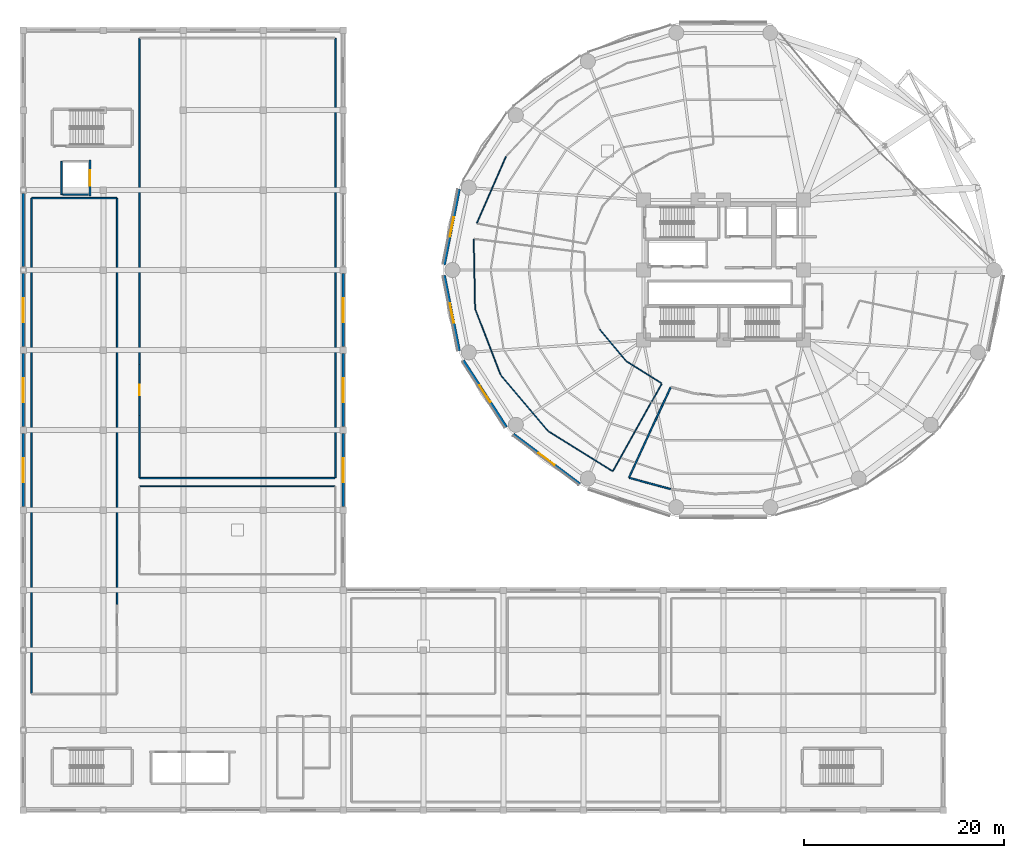
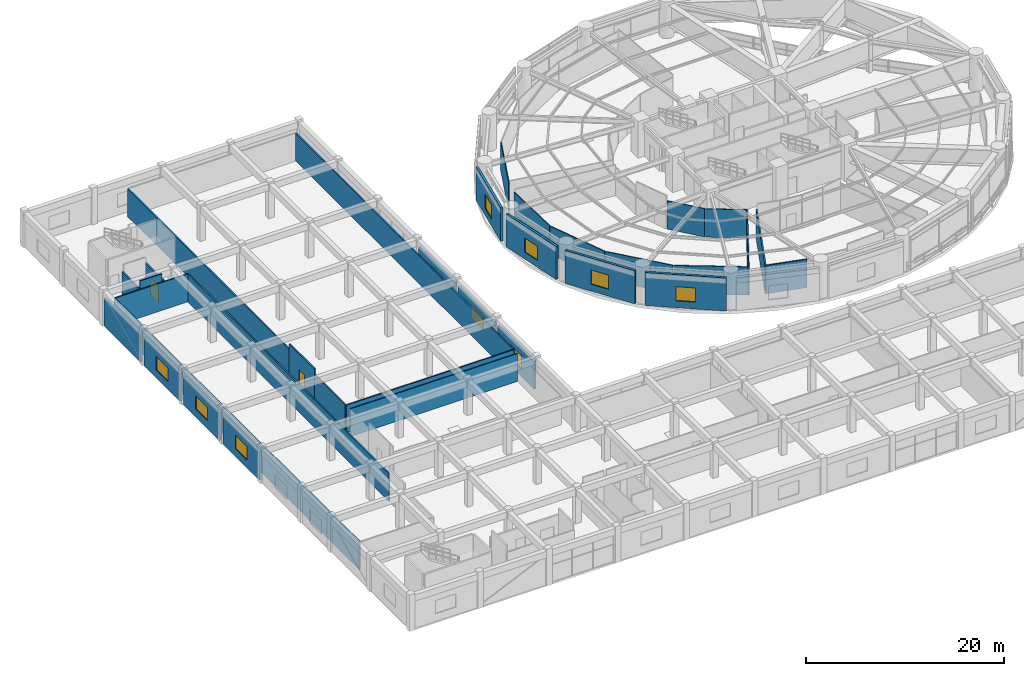
# One storey, part 40 of 52: 33 walls, 10 windows, 2 doors, 12 openings.
"""IFC4 building model written with IfcOpenShell, lengths in metres."""

from ifc_helpers import new_model, si_unit, direction, frame, frame_2d, origin, place, context, subcontext, project, spatial, rectangle, extrude, material, layer, layer_set, type_object, element, fill, save


model = new_model("IFC4")

# Units and contexts
model_context = context("Model", 3, precision=1e-05, world=origin(), true_north=direction((0.0, 1.0)))
body_context = subcontext(model_context, "Body", "Model", "MODEL_VIEW")
ifc_project = project(units=[si_unit("LENGTHUNIT", "METRE"), si_unit("AREAUNIT", "SQUARE_METRE"), si_unit("VOLUMEUNIT", "CUBIC_METRE"), si_unit("PLANEANGLEUNIT", "RADIAN"), si_unit("MASSUNIT", "GRAM", prefix="KILO")], contexts=[model_context])

# Site, building, storey
site_placement = place(None, origin())
site = spatial("IfcSite", under=ifc_project, at=site_placement, CompositionType="ELEMENT")
building_placement = place(site_placement, origin())
building = spatial("IfcBuilding", under=site, at=building_placement, Name="Kelanora Arch Commons", CompositionType="ELEMENT")
storey_placement = place(building_placement, frame((0.0, 0.0, 13.5)))
storey = spatial("IfcBuildingStorey", under=building, at=storey_placement, Name="L03", CompositionType="ELEMENT", Elevation=13.5)

# Walls
ifc_material_1 = material(Name="Autoclaved aerated concrete blockwork with fire plaster", Category="masonry")
ifc_layer_1 = layer(ifc_material_1, 0.14990234375)
ifc_layer_set_1 = layer_set([ifc_layer_1], Name="Autoclaved aerated concrete blockwork with fire plaster")
wall_type_1 = type_object("IfcWallType", Name="W-COMP-150", PredefinedType="PARTITIONING", material=ifc_layer_set_1)
wall_1_placement = place(storey_placement, frame((7.840087890625, 65.5400390625, 0.0), z_axis=(0.0, 0.0, 1.0), x_axis=(0.0, 1.0, 0.0)))
element("IfcWall", 1, at=wall_1_placement, inside=storey, type_object=wall_type_1, Name="Market West Lift Shaft Back Wall L03", PredefinedType="PARTITIONING", context=body_context, shape_type="SweptSolid", body=[
    extrude(rectangle(XDim=3.320068359375, YDim=0.14990234375, at=frame_2d((1.66015625, 0.0))), origin(), (0.0, 0.0, 1.0), 3.425048828125),
])
wall_2_placement = place(storey_placement, frame((7.9599609375, 65.5400390625, 0.0), z_axis=(0.0, 0.0, 1.0), x_axis=(1.0, 0.0, 0.0)))
element("IfcWall", 2, at=wall_2_placement, inside=storey, type_object=wall_type_1, Name="Market West Lift Shaft South Wall L03", PredefinedType="PARTITIONING", context=body_context, shape_type="SweptSolid", body=[
    extrude(rectangle(XDim=2.56005859375, YDim=0.14990234375, at=frame_2d((1.280029296875, 0.0))), origin(), (0.0, 0.0, 1.0), 4.22998046875),
])

# Wall, opening, door
wall_3_placement = place(storey_placement, frame((15.6201171875, 43.4599609375, 0.0), z_axis=(0.0, 0.0, 1.0), x_axis=(0.0, 1.0, 0.0)))
wall_3 = element("IfcWall", 3, at=wall_3_placement, inside=storey, type_object=wall_type_1, Name="Market Bakery Bulk Flour and Cold Store L03 Entry Partition", PredefinedType="PARTITIONING", context=body_context, shape_type="SweptSolid", body=[
    extrude(rectangle(XDim=5.080078125, YDim=0.14990234375, at=frame_2d((2.5400390625, 0.0))), origin(), (0.0, 0.0, 1.0), 4.090087890625),
])
opening_1_placement = place(wall_3_placement, frame((2.0, 0.0, 0.0)))
opening_1 = element("IfcOpeningElement", 4, at=opening_1_placement, cuts=wall_3, Name="Opening D-PLT1", PredefinedType="OPENING", context=body_context, shape_type="SweptSolid", body=[
    extrude(rectangle(XDim=1.080078125, YDim=2.10009765625, at=frame_2d((0.5400390625, 1.050048828125))), frame((0.0, 0.0849609375, 0.0), z_axis=(0.0, -1.0, 0.0), x_axis=(1.0, 0.0, 0.0)), (0.0, 0.0, 1.0), 0.169921875),
])
ifc_material_2 = material(Name="Galvanised steel plant and riser fire door", Category="steel")
door_type_1 = type_object("IfcDoorType", Name="D-PLT-110", OperationType="NOTDEFINED", PredefinedType="DOOR", material=ifc_material_2)
door_1_placement = place(opening_1_placement, origin())
door_1 = element("IfcDoor", 5, at=door_1_placement, inside=storey, type_object=door_type_1, Name="Market Bakery Bulk Flour and Cold Store L03 Door", OperationType="SINGLE_SWING_RIGHT", OverallHeight=2.10009765625, OverallWidth=1.080078125, PredefinedType="DOOR", context=body_context, shape_type="SweptSolid", body=[
    extrude(rectangle(XDim=1.080078125, YDim=2.10009765625, at=frame_2d((0.5400390625, 1.050048828125))), frame((0.0, 0.02490234375, 0.0), z_axis=(0.0, -1.0, 0.0), x_axis=(1.0, 0.0, 0.0)), (0.0, 0.0, 1.0), 0.050048828125),
])
fill(opening_1, door_1)

# Walls
wall_4_placement = place(storey_placement, frame((15.659912109375, 37.199951171875, 0.0), z_axis=(0.0, 0.0, 1.0), x_axis=(1.0, 0.0, 0.0)))
element("IfcWall", 6, at=wall_4_placement, inside=storey, type_object=wall_type_1, Name="Market Bakery Bulk Flour and Cold Store L03 Enclosure Partition 1", PredefinedType="PARTITIONING", context=body_context, shape_type="SweptSolid", body=[
    extrude(rectangle(XDim=19.5, YDim=0.14990234375, at=frame_2d((9.75, 0.0))), origin(), (0.0, 0.0, 1.0), 3.425048828125),
])
wall_5_placement = place(storey_placement, frame((35.199951171875, 37.239990234375, 0.0), z_axis=(0.0, 0.0, 1.0), x_axis=(0.0, 1.0, 0.0)))
element("IfcWall", 7, at=wall_5_placement, inside=storey, type_object=wall_type_1, Name="Market Bakery Bulk Flour and Cold Store L03 Enclosure Partition 2", PredefinedType="PARTITIONING", context=body_context, shape_type="SweptSolid", body=[
    extrude(rectangle(XDim=43.919921875, YDim=0.14990234375, at=frame_2d((21.9599609375, 0.0))), origin(), (0.0, 0.0, 1.0), 3.425048828125),
])
wall_6_placement = place(storey_placement, frame((15.6201171875, 81.159912109375, 0.0), z_axis=(0.0, 0.0, 1.0), x_axis=(0.0, -1.0, 0.0)))
element("IfcWall", 8, at=wall_6_placement, inside=storey, type_object=wall_type_1, Name="Market Bakery Bulk Flour and Cold Store L03 Enclosure Partition 4", PredefinedType="PARTITIONING", context=body_context, shape_type="SweptSolid", body=[
    extrude(rectangle(XDim=32.619873046875, YDim=0.14990234375, at=frame_2d((16.31005859375, 0.0))), origin(), (0.0, 0.0, 1.0), 3.425048828125),
])
wall_7_placement = place(storey_placement, frame((15.6201171875, 43.4599609375, 0.0), z_axis=(0.0, 0.0, 1.0), x_axis=(0.0, -1.0, 0.0)))
element("IfcWall", 9, at=wall_7_placement, inside=storey, type_object=wall_type_1, Name="Market Bakery Bulk Flour and Cold Store L03 Enclosure Partition 4", PredefinedType="PARTITIONING", context=body_context, shape_type="SweptSolid", body=[
    extrude(rectangle(XDim=6.219970703125, YDim=0.14990234375, at=frame_2d((3.10986328125, 0.0))), origin(), (0.0, 0.0, 1.0), 3.425048828125),
])
wall_8_placement = place(storey_placement, frame((13.3798828125, 24.5400390625, 0.0), z_axis=(0.0, 0.0, 1.0), x_axis=(0.0, 1.0, 0.0)))
element("IfcWall", 10, at=wall_8_placement, inside=storey, type_object=wall_type_1, Name="Market West Equipment Store L03 Enclosure Partition 2", PredefinedType="PARTITIONING", context=body_context, shape_type="SweptSolid", body=[
    extrude(rectangle(XDim=40.619873046875, YDim=0.14990234375, at=frame_2d((20.31005859375, 0.0))), origin(), (0.0, 0.0, 1.0), 3.425048828125),
])
wall_9_placement = place(storey_placement, frame((13.340087890625, 65.199951171875, 0.0), z_axis=(0.0, 0.0, 1.0), x_axis=(-1.0, 0.0, 0.0)))
element("IfcWall", 11, at=wall_9_placement, inside=storey, type_object=wall_type_1, Name="Market West Equipment Store L03 Enclosure Partition 3", PredefinedType="PARTITIONING", context=body_context, shape_type="SweptSolid", body=[
    extrude(rectangle(XDim=8.5, YDim=0.14990234375, at=frame_2d((4.25, 0.0))), origin(), (0.0, 0.0, 1.0), 3.425048828125),
])
wall_10_placement = place(storey_placement, frame((4.800048828125, 65.159912109375, 0.0), z_axis=(0.0, 0.0, 1.0), x_axis=(0.0, -1.0, 0.0)))
element("IfcWall", 12, at=wall_10_placement, inside=storey, type_object=wall_type_1, Name="Market West Equipment Store L03 Enclosure Partition 4", PredefinedType="PARTITIONING", context=body_context, shape_type="SweptSolid", body=[
    extrude(rectangle(XDim=49.5, YDim=0.14990234375, at=frame_2d((24.75, 0.0))), origin(), (0.0, 0.0, 1.0), 3.425048828125),
])
wall_11_placement = place(storey_placement, frame((68.722412109375, 36.099609375, 0.0), z_axis=(0.0, 0.0, 1.0), x_axis=(-0.964990226836, 0.262285840471, 0.0)))
element("IfcWall", 13, at=wall_11_placement, inside=storey, type_object=wall_type_1, Name="Podium Catering Cold Store and Linen Room L03 Enclosure Partition 9", PredefinedType="PARTITIONING", context=body_context, shape_type="SweptSolid", body=[
    extrude(rectangle(XDim=4.2734375, YDim=0.14990234375, at=frame_2d((2.13671875, 0.0))), origin(), (0.0, 0.0, 1.0), 3.485107421875),
])
wall_12_placement = place(storey_placement, frame((64.576904296875, 37.267333984375, 0.0), z_axis=(0.0, 0.0, 1.0), x_axis=(0.419273795464, 0.90785983744, 0.0)))
element("IfcWall", 14, at=wall_12_placement, inside=storey, type_object=wall_type_1, Name="Podium Catering Cold Store and Linen Room L03 Enclosure Partition 10", PredefinedType="PARTITIONING", context=body_context, shape_type="SweptSolid", body=[
    extrude(rectangle(XDim=9.908203125, YDim=0.14990234375, at=frame_2d((4.9541015625, 0.0))), origin(), (0.0, 0.0, 1.0), 3.485107421875),
])

# Wall, opening, window
ifc_material_3 = material(Name="Precast concrete C40/50 with terracotta ceramic cladding", Category="masonry")
ifc_layer_2 = layer(ifc_material_3, 0.25)
ifc_layer_set_2 = layer_set([ifc_layer_2], Name="Precast concrete C40/50 with terracotta ceramic cladding")
wall_type_2 = type_object("IfcWallType", Name="W-EXT-MKT", PredefinedType="SOLIDWALL", material=ifc_layer_set_2)
wall_13_placement = place(storey_placement, frame((36.0, 34.330078125, 0.0), z_axis=(0.0, 0.0, 1.0), x_axis=(0.0, 1.0, 0.0)))
wall_13 = element("IfcWall", 15, at=wall_13_placement, inside=storey, type_object=wall_type_2, Name="Market Hall Exterior Wall L03-24", PredefinedType="SOLIDWALL", context=body_context, shape_type="SweptSolid", body=[
    extrude(rectangle(XDim=7.33984375, YDim=0.25, at=frame_2d((3.669921875, 0.0))), origin(), (0.0, 0.0, 1.0), 3.419921875),
])
opening_2_placement = place(wall_13_placement, frame((2.469970703125, 0.0, 0.949951171875)))
opening_2 = element("IfcOpeningElement", 16, at=opening_2_placement, cuts=wall_13, Name="Opening WN-03", PredefinedType="OPENING", context=body_context, shape_type="SweptSolid", body=[
    extrude(rectangle(XDim=2.39990234375, YDim=1.64990234375, at=frame_2d((1.199951171875, 0.824951171875))), frame((0.0, 0.135009765625, 0.0), z_axis=(0.0, -1.0, 0.0), x_axis=(1.0, 0.0, 0.0)), (0.0, 0.0, 1.0), 0.27001953125),
])
ifc_material_4 = material(Name="Bronze-terracotta aluminium monsoon clerestory window", Category="masonry")
window_type_1 = type_object("IfcWindowType", Name="WIN-MKT-24", PartitioningType="TRIPLE_PANEL_VERTICAL", PredefinedType="WINDOW", material=ifc_material_4)
window_1_placement = place(opening_2_placement, origin())
window_1 = element("IfcWindow", 17, at=window_1_placement, inside=storey, type_object=window_type_1, Name="Market Hall Clerestory Window L03-24", OverallHeight=1.64990234375, OverallWidth=2.39990234375, PartitioningType="SINGLE_PANEL", PredefinedType="WINDOW", context=body_context, shape_type="SweptSolid", body=[
    extrude(rectangle(XDim=2.39990234375, YDim=1.64990234375, at=frame_2d((1.199951171875, 0.824951171875))), frame((0.0, 0.030029296875, 0.0), z_axis=(0.0, -1.0, 0.0), x_axis=(1.0, 0.0, 0.0)), (0.0, 0.0, 1.0), 0.06005859375),
])
fill(opening_2, window_1)

wall_14_placement = place(storey_placement, frame((36.0, 42.330078125, 0.0), z_axis=(0.0, 0.0, 1.0), x_axis=(0.0, 1.0, 0.0)))
wall_14 = element("IfcWall", 18, at=wall_14_placement, inside=storey, type_object=wall_type_2, Name="Market Hall Exterior Wall L03-25", PredefinedType="SOLIDWALL", context=body_context, shape_type="SweptSolid", body=[
    extrude(rectangle(XDim=7.33984375, YDim=0.25, at=frame_2d((3.669921875, 0.0))), origin(), (0.0, 0.0, 1.0), 3.419921875),
])
opening_3_placement = place(wall_14_placement, frame((2.469970703125, 0.0, 0.949951171875)))
opening_3 = element("IfcOpeningElement", 19, at=opening_3_placement, cuts=wall_14, Name="Opening WN-03", PredefinedType="OPENING", context=body_context, shape_type="SweptSolid", body=[
    extrude(rectangle(XDim=2.39990234375, YDim=1.64990234375, at=frame_2d((1.199951171875, 0.824951171875))), frame((0.0, 0.135009765625, 0.0), z_axis=(0.0, -1.0, 0.0), x_axis=(1.0, 0.0, 0.0)), (0.0, 0.0, 1.0), 0.27001953125),
])
window_2_placement = place(opening_3_placement, origin())
window_2 = element("IfcWindow", 20, at=window_2_placement, inside=storey, type_object=window_type_1, Name="Market Hall Clerestory Window L03-25", OverallHeight=1.64990234375, OverallWidth=2.39990234375, PartitioningType="SINGLE_PANEL", PredefinedType="WINDOW", context=body_context, shape_type="SweptSolid", body=[
    extrude(rectangle(XDim=2.39990234375, YDim=1.64990234375, at=frame_2d((1.199951171875, 0.824951171875))), frame((0.0, 0.030029296875, 0.0), z_axis=(0.0, -1.0, 0.0), x_axis=(1.0, 0.0, 0.0)), (0.0, 0.0, 1.0), 0.06005859375),
])
fill(opening_3, window_2)

wall_15_placement = place(storey_placement, frame((36.0, 50.330078125, 0.0), z_axis=(0.0, 0.0, 1.0), x_axis=(0.0, 1.0, 0.0)))
wall_15 = element("IfcWall", 21, at=wall_15_placement, inside=storey, type_object=wall_type_2, Name="Market Hall Exterior Wall L03-26", PredefinedType="SOLIDWALL", context=body_context, shape_type="SweptSolid", body=[
    extrude(rectangle(XDim=7.33984375, YDim=0.25, at=frame_2d((3.669921875, 0.0))), origin(), (0.0, 0.0, 1.0), 3.419921875),
])
opening_4_placement = place(wall_15_placement, frame((2.469970703125, 0.0, 0.949951171875)))
opening_4 = element("IfcOpeningElement", 22, at=opening_4_placement, cuts=wall_15, Name="Opening WN-03", PredefinedType="OPENING", context=body_context, shape_type="SweptSolid", body=[
    extrude(rectangle(XDim=2.39990234375, YDim=1.64990234375, at=frame_2d((1.199951171875, 0.824951171875))), frame((0.0, 0.135009765625, 0.0), z_axis=(0.0, -1.0, 0.0), x_axis=(1.0, 0.0, 0.0)), (0.0, 0.0, 1.0), 0.27001953125),
])
window_3_placement = place(opening_4_placement, origin())
window_3 = element("IfcWindow", 23, at=window_3_placement, inside=storey, type_object=window_type_1, Name="Market Hall Clerestory Window L03-26", OverallHeight=1.64990234375, OverallWidth=2.39990234375, PartitioningType="SINGLE_PANEL", PredefinedType="WINDOW", context=body_context, shape_type="SweptSolid", body=[
    extrude(rectangle(XDim=2.39990234375, YDim=1.64990234375, at=frame_2d((1.199951171875, 0.824951171875))), frame((0.0, 0.030029296875, 0.0), z_axis=(0.0, -1.0, 0.0), x_axis=(1.0, 0.0, 0.0)), (0.0, 0.0, 1.0), 0.06005859375),
])
fill(opening_4, window_3)

# Wall
wall_16_placement = place(storey_placement, frame((4.0, 65.669921875, 0.0), z_axis=(0.0, 0.0, 1.0), x_axis=(0.0, -1.0, 0.0)))
element("IfcWall", 24, at=wall_16_placement, inside=storey, type_object=wall_type_2, Name="Market Hall Exterior Wall L03-36", PredefinedType="SOLIDWALL", context=body_context, shape_type="SweptSolid", body=[
    extrude(rectangle(XDim=7.33984375, YDim=0.25, at=frame_2d((3.669921875, 0.0))), origin(), (0.0, 0.0, 1.0), 3.419921875),
])

# Wall, opening, window
wall_17_placement = place(storey_placement, frame((4.0, 57.669921875, 0.0), z_axis=(0.0, 0.0, 1.0), x_axis=(0.0, -1.0, 0.0)))
wall_17 = element("IfcWall", 25, at=wall_17_placement, inside=storey, type_object=wall_type_2, Name="Market Hall Exterior Wall L03-37", PredefinedType="SOLIDWALL", context=body_context, shape_type="SweptSolid", body=[
    extrude(rectangle(XDim=7.33984375, YDim=0.25, at=frame_2d((3.669921875, 0.0))), origin(), (0.0, 0.0, 1.0), 3.419921875),
])
opening_5_placement = place(wall_17_placement, frame((2.469970703125, 0.0, 0.949951171875)))
opening_5 = element("IfcOpeningElement", 26, at=opening_5_placement, cuts=wall_17, Name="Opening WN-03", PredefinedType="OPENING", context=body_context, shape_type="SweptSolid", body=[
    extrude(rectangle(XDim=2.39990234375, YDim=1.64990234375, at=frame_2d((1.199951171875, 0.824951171875))), frame((0.0, 0.135009765625, 0.0), z_axis=(0.0, -1.0, 0.0), x_axis=(1.0, 0.0, 0.0)), (0.0, 0.0, 1.0), 0.27001953125),
])
window_4_placement = place(opening_5_placement, origin())
window_4 = element("IfcWindow", 27, at=window_4_placement, inside=storey, type_object=window_type_1, Name="Market Hall Clerestory Window L03-37", OverallHeight=1.64990234375, OverallWidth=2.39990234375, PartitioningType="SINGLE_PANEL", PredefinedType="WINDOW", context=body_context, shape_type="SweptSolid", body=[
    extrude(rectangle(XDim=2.39990234375, YDim=1.64990234375, at=frame_2d((1.199951171875, 0.824951171875))), frame((0.0, 0.030029296875, 0.0), z_axis=(0.0, -1.0, 0.0), x_axis=(1.0, 0.0, 0.0)), (0.0, 0.0, 1.0), 0.06005859375),
])
fill(opening_5, window_4)

wall_18_placement = place(storey_placement, frame((4.0, 49.669921875, 0.0), z_axis=(0.0, 0.0, 1.0), x_axis=(0.0, -1.0, 0.0)))
wall_18 = element("IfcWall", 28, at=wall_18_placement, inside=storey, type_object=wall_type_2, Name="Market Hall Exterior Wall L03-38", PredefinedType="SOLIDWALL", context=body_context, shape_type="SweptSolid", body=[
    extrude(rectangle(XDim=7.33984375, YDim=0.25, at=frame_2d((3.669921875, 0.0))), origin(), (0.0, 0.0, 1.0), 3.419921875),
])
opening_6_placement = place(wall_18_placement, frame((2.469970703125, 0.0, 0.949951171875)))
opening_6 = element("IfcOpeningElement", 29, at=opening_6_placement, cuts=wall_18, Name="Opening WN-03", PredefinedType="OPENING", context=body_context, shape_type="SweptSolid", body=[
    extrude(rectangle(XDim=2.39990234375, YDim=1.64990234375, at=frame_2d((1.199951171875, 0.824951171875))), frame((0.0, 0.135009765625, 0.0), z_axis=(0.0, -1.0, 0.0), x_axis=(1.0, 0.0, 0.0)), (0.0, 0.0, 1.0), 0.27001953125),
])
window_5_placement = place(opening_6_placement, origin())
window_5 = element("IfcWindow", 30, at=window_5_placement, inside=storey, type_object=window_type_1, Name="Market Hall Clerestory Window L03-38", OverallHeight=1.64990234375, OverallWidth=2.39990234375, PartitioningType="SINGLE_PANEL", PredefinedType="WINDOW", context=body_context, shape_type="SweptSolid", body=[
    extrude(rectangle(XDim=2.39990234375, YDim=1.64990234375, at=frame_2d((1.199951171875, 0.824951171875))), frame((0.0, 0.030029296875, 0.0), z_axis=(0.0, -1.0, 0.0), x_axis=(1.0, 0.0, 0.0)), (0.0, 0.0, 1.0), 0.06005859375),
])
fill(opening_6, window_5)

wall_19_placement = place(storey_placement, frame((4.0, 41.669921875, 0.0), z_axis=(0.0, 0.0, 1.0), x_axis=(0.0, -1.0, 0.0)))
wall_19 = element("IfcWall", 31, at=wall_19_placement, inside=storey, type_object=wall_type_2, Name="Market Hall Exterior Wall L03-39", PredefinedType="SOLIDWALL", context=body_context, shape_type="SweptSolid", body=[
    extrude(rectangle(XDim=7.33984375, YDim=0.25, at=frame_2d((3.669921875, 0.0))), origin(), (0.0, 0.0, 1.0), 3.419921875),
])
opening_7_placement = place(wall_19_placement, frame((2.469970703125, 0.0, 0.949951171875)))
opening_7 = element("IfcOpeningElement", 32, at=opening_7_placement, cuts=wall_19, Name="Opening WN-03", PredefinedType="OPENING", context=body_context, shape_type="SweptSolid", body=[
    extrude(rectangle(XDim=2.39990234375, YDim=1.64990234375, at=frame_2d((1.199951171875, 0.824951171875))), frame((0.0, 0.135009765625, 0.0), z_axis=(0.0, -1.0, 0.0), x_axis=(1.0, 0.0, 0.0)), (0.0, 0.0, 1.0), 0.27001953125),
])
window_6_placement = place(opening_7_placement, origin())
window_6 = element("IfcWindow", 33, at=window_6_placement, inside=storey, type_object=window_type_1, Name="Market Hall Clerestory Window L03-39", OverallHeight=1.64990234375, OverallWidth=2.39990234375, PartitioningType="SINGLE_PANEL", PredefinedType="WINDOW", context=body_context, shape_type="SweptSolid", body=[
    extrude(rectangle(XDim=2.39990234375, YDim=1.64990234375, at=frame_2d((1.199951171875, 0.824951171875))), frame((0.0, 0.030029296875, 0.0), z_axis=(0.0, -1.0, 0.0), x_axis=(1.0, 0.0, 0.0)), (0.0, 0.0, 1.0), 0.06005859375),
])
fill(opening_7, window_6)

ifc_material_5 = material(Name="Precast concrete C40/50 with terracotta rainscreen", Category="masonry")
ifc_layer_3 = layer(ifc_material_5, 0.260009765625)
ifc_layer_set_3 = layer_set([ifc_layer_3], Name="Precast concrete C40/50 with terracotta rainscreen")
wall_type_3 = type_object("IfcWallType", Name="W-EXT-TC", PredefinedType="SOLIDWALL", material=ifc_layer_set_3)
wall_20_placement = place(storey_placement, frame((47.595703125, 66.080078125, 0.0), z_axis=(0.0, 0.0, 1.0), x_axis=(-0.193726159581, -0.98105564322, 0.0)))
wall_20 = element("IfcWall", 34, at=wall_20_placement, inside=storey, type_object=wall_type_3, Name="Terracotta Exterior Wall L03-B08", PredefinedType="SOLIDWALL", context=body_context, shape_type="SweptSolid", body=[
    extrude(rectangle(XDim=7.70263671875, YDim=0.260009765625, at=frame_2d((3.851318359375, 0.0))), origin(), (0.0, 0.0, 1.0), 4.0849609375),
])
opening_8_placement = place(wall_20_placement, frame((2.85107421875, 0.0, 0.85009765625)))
opening_8 = element("IfcOpeningElement", 35, at=opening_8_placement, cuts=wall_20, Name="Opening WN-05", PredefinedType="OPENING", context=body_context, shape_type="SweptSolid", body=[
    extrude(rectangle(XDim=2.0, YDim=1.75, at=frame_2d((1.0, 0.875))), frame((0.0, 0.14013671875, 0.0), z_axis=(0.0, -1.0, 0.0), x_axis=(1.0, 0.0, 0.0)), (0.0, 0.0, 1.0), 0.280029296875),
])
ifc_material_6 = material(Name="Terracotta-anodised aluminium podium window", Category="masonry")
window_type_2 = type_object("IfcWindowType", Name="WIN-POD-20", PartitioningType="TRIPLE_PANEL_VERTICAL", PredefinedType="WINDOW", material=ifc_material_6)
window_7_placement = place(opening_8_placement, origin())
window_7 = element("IfcWindow", 36, at=window_7_placement, inside=storey, type_object=window_type_2, Name="Podium Window L03-B08", OverallHeight=1.75, OverallWidth=2.0, PartitioningType="SINGLE_PANEL", PredefinedType="WINDOW", context=body_context, shape_type="SweptSolid", body=[
    extrude(rectangle(XDim=2.0, YDim=1.75, at=frame_2d((1.0, 0.875))), frame((0.0, 0.030029296875, 0.0), z_axis=(0.0, -1.0, 0.0), x_axis=(1.0, 0.0, 0.0)), (0.0, 0.0, 1.0), 0.06005859375),
])
fill(opening_8, window_7)

wall_21_placement = place(storey_placement, frame((46.103515625, 57.4765625, 0.0), z_axis=(0.0, 0.0, 1.0), x_axis=(0.193726159581, -0.98105564322, 0.0)))
wall_21 = element("IfcWall", 37, at=wall_21_placement, inside=storey, type_object=wall_type_3, Name="Terracotta Exterior Wall L03-B09", PredefinedType="SOLIDWALL", context=body_context, shape_type="SweptSolid", body=[
    extrude(rectangle(XDim=7.70263671875, YDim=0.260009765625, at=frame_2d((3.851318359375, 0.0))), origin(), (0.0, 0.0, 1.0), 4.0849609375),
])
opening_9_placement = place(wall_21_placement, frame((2.85107421875, 0.0, 0.85009765625)))
opening_9 = element("IfcOpeningElement", 38, at=opening_9_placement, cuts=wall_21, Name="Opening WN-05", PredefinedType="OPENING", context=body_context, shape_type="SweptSolid", body=[
    extrude(rectangle(XDim=2.0, YDim=1.75, at=frame_2d((1.0, 0.875))), frame((0.0, 0.14013671875, 0.0), z_axis=(0.0, -1.0, 0.0), x_axis=(1.0, 0.0, 0.0)), (0.0, 0.0, 1.0), 0.280029296875),
])
window_8_placement = place(opening_9_placement, origin())
window_8 = element("IfcWindow", 39, at=window_8_placement, inside=storey, type_object=window_type_2, Name="Podium Window L03-B09", OverallHeight=1.75, OverallWidth=2.0, PartitioningType="SINGLE_PANEL", PredefinedType="WINDOW", context=body_context, shape_type="SweptSolid", body=[
    extrude(rectangle(XDim=2.0, YDim=1.75, at=frame_2d((1.0, 0.875))), frame((0.0, 0.030029296875, 0.0), z_axis=(0.0, -1.0, 0.0), x_axis=(1.0, 0.0, 0.0)), (0.0, 0.0, 1.0), 0.06005859375),
])
fill(opening_9, window_8)

wall_22_placement = place(storey_placement, frame((48.000732421875, 48.966796875, 0.0), z_axis=(0.0, 0.0, 1.0), x_axis=(0.543005114258, -0.839729388488, 0.0)))
wall_22 = element("IfcWall", 40, at=wall_22_placement, inside=storey, type_object=wall_type_3, Name="Terracotta Exterior Wall L03-B10", PredefinedType="SOLIDWALL", context=body_context, shape_type="SweptSolid", body=[
    extrude(rectangle(XDim=7.9375, YDim=0.260009765625, at=frame_2d((3.96875, 0.0))), origin(), (0.0, 0.0, 1.0), 4.0849609375),
])
opening_10_placement = place(wall_22_placement, frame((2.968994140625, 0.0, 0.85009765625)))
opening_10 = element("IfcOpeningElement", 41, at=opening_10_placement, cuts=wall_22, Name="Opening WN-05", PredefinedType="OPENING", context=body_context, shape_type="SweptSolid", body=[
    extrude(rectangle(XDim=2.0, YDim=1.75, at=frame_2d((1.0, 0.875))), frame((0.0, 0.14013671875, 0.0), z_axis=(0.0, -1.0, 0.0), x_axis=(1.0, 0.0, 0.0)), (0.0, 0.0, 1.0), 0.280029296875),
])
window_9_placement = place(opening_10_placement, origin())
window_9 = element("IfcWindow", 42, at=window_9_placement, inside=storey, type_object=window_type_2, Name="Podium Window L03-B10", OverallHeight=1.75, OverallWidth=2.0, PartitioningType="SINGLE_PANEL", PredefinedType="WINDOW", context=body_context, shape_type="SweptSolid", body=[
    extrude(rectangle(XDim=2.0, YDim=1.75, at=frame_2d((1.0, 0.875))), frame((0.0, 0.030029296875, 0.0), z_axis=(0.0, -1.0, 0.0), x_axis=(1.0, 0.0, 0.0)), (0.0, 0.0, 1.0), 0.06005859375),
])
fill(opening_10, window_9)

wall_23_placement = place(storey_placement, frame((53.01611328125, 41.581787109375, 0.0), z_axis=(0.0, 0.0, 1.0), x_axis=(0.80030733173, -0.599590005569, 0.0)))
wall_23 = element("IfcWall", 43, at=wall_23_placement, inside=storey, type_object=wall_type_3, Name="Terracotta Exterior Wall L03-B11", PredefinedType="SOLIDWALL", context=body_context, shape_type="SweptSolid", body=[
    extrude(rectangle(XDim=8.29052734375, YDim=0.260009765625, at=frame_2d((4.145263671875, 0.0))), origin(), (0.0, 0.0, 1.0), 4.0849609375),
])
opening_11_placement = place(wall_23_placement, frame((3.14501953125, 0.0, 0.85009765625)))
opening_11 = element("IfcOpeningElement", 44, at=opening_11_placement, cuts=wall_23, Name="Opening WN-05", PredefinedType="OPENING", context=body_context, shape_type="SweptSolid", body=[
    extrude(rectangle(XDim=2.0, YDim=1.75, at=frame_2d((1.0, 0.875))), frame((0.0, 0.14013671875, 0.0), z_axis=(0.0, -1.0, 0.0), x_axis=(1.0, 0.0, 0.0)), (0.0, 0.0, 1.0), 0.280029296875),
])
window_10_placement = place(opening_11_placement, origin())
window_10 = element("IfcWindow", 45, at=window_10_placement, inside=storey, type_object=window_type_2, Name="Podium Window L03-B11", OverallHeight=1.75, OverallWidth=2.0, PartitioningType="SINGLE_PANEL", PredefinedType="WINDOW", context=body_context, shape_type="SweptSolid", body=[
    extrude(rectangle(XDim=2.0, YDim=1.75, at=frame_2d((1.0, 0.875))), frame((0.0, 0.030029296875, 0.0), z_axis=(0.0, -1.0, 0.0), x_axis=(1.0, 0.0, 0.0)), (0.0, 0.0, 1.0), 0.06005859375),
])
fill(opening_11, window_10)

# Wall, opening, door
ifc_material_7 = material(Name="Concrete C40/50", Category="concrete")
ifc_layer_4 = layer(ifc_material_7, 0.199951171875)
ifc_layer_set_4 = layer_set([ifc_layer_4], Name="Concrete C40/50")
wall_type_4 = type_object("IfcWallType", Name="W-FFL-200", PredefinedType="SOLIDWALL", material=ifc_layer_set_4)
wall_24_placement = place(storey_placement, frame((10.64990234375, 65.39990234375, 0.0), z_axis=(0.0, 0.0, 1.0), x_axis=(0.0, 1.0, 0.0)))
wall_24 = element("IfcWall", 46, at=wall_24_placement, inside=storey, type_object=wall_type_4, Name="Market West Goods Lift Shaft Front L03", PredefinedType="SOLIDWALL", context=body_context, shape_type="SweptSolid", body=[
    extrude(rectangle(XDim=3.60009765625, YDim=0.199951171875, at=frame_2d((1.800048828125, 0.0))), origin(), (0.0, 0.0, 1.0), 3.425048828125),
])
opening_12_placement = place(wall_24_placement, frame((1.02001953125, 0.0, 0.0)))
opening_12 = element("IfcOpeningElement", 47, at=opening_12_placement, cuts=wall_24, Name="Opening LD-GD", PredefinedType="OPENING", context=body_context, shape_type="SweptSolid", body=[
    extrude(rectangle(XDim=1.550048828125, YDim=2.199951171875, at=frame_2d((0.77490234375, 1.10009765625))), frame((0.0, 0.10986328125, 0.0), z_axis=(0.0, -1.0, 0.0), x_axis=(1.0, 0.0, 0.0)), (0.0, 0.0, 1.0), 0.219970703125),
])
ifc_material_8 = material(Name="Heavy-duty goods lift bi-parting sliding landing door")
door_type_2 = type_object("IfcDoorType", Name="D-LIFT-GDS", OperationType="NOTDEFINED", PredefinedType="DOOR", material=ifc_material_8)
door_2_placement = place(opening_12_placement, origin())
door_2 = element("IfcDoor", 48, at=door_2_placement, inside=storey, type_object=door_type_2, Name="Market Goods Lift LF-MG2 Landing Door L03", OperationType="DOUBLE_DOOR_SLIDING", OverallHeight=2.199951171875, OverallWidth=1.550048828125, PredefinedType="DOOR", context=body_context, shape_type="SweptSolid", body=[
    extrude(rectangle(XDim=1.550048828125, YDim=2.199951171875, at=frame_2d((0.77490234375, 1.10009765625))), frame((0.0, 0.02490234375, 0.0), z_axis=(0.0, -1.0, 0.0), x_axis=(1.0, 0.0, 0.0)), (0.0, 0.0, 1.0), 0.050048828125),
])
fill(opening_12, door_2)

# Walls
ifc_material_9 = material(Name="Lightweight fire-rated acoustic stud partition")
ifc_layer_5 = layer(ifc_material_9, 0.10009765625)
ifc_layer_set_5 = layer_set([ifc_layer_5], Name="Lightweight fire-rated acoustic stud partition")
wall_type_5 = type_object("IfcWallType", Name="W-PART-100", PredefinedType="PARTITIONING", material=ifc_layer_set_5)
wall_25_placement = place(storey_placement, frame((35.159912109375, 36.39990234375, 0.0), z_axis=(0.0, 0.0, 1.0), x_axis=(-1.0, 0.0, 0.0)))
element("IfcWall", 49, at=wall_25_placement, inside=storey, type_object=wall_type_5, Name="Community Dining Hall and Bakery Enclosure Partition 3", PredefinedType="PARTITIONING", context=body_context, shape_type="SweptSolid", body=[
    extrude(rectangle(XDim=19.5, YDim=0.10009765625, at=frame_2d((9.75, 0.0))), origin(), (0.0, 0.0, 1.0), 3.425048828125),
])
wall_26_placement = place(storey_placement, frame((49.366943359375, 62.693603515625, 0.0), z_axis=(0.0, 0.0, 1.0), x_axis=(0.400764042692, 0.916181304156, 0.0)))
element("IfcWall", 50, at=wall_26_placement, inside=storey, type_object=wall_type_5, Name="Shared Student Study Commons L03-B Enclosure Partition 6", PredefinedType="PARTITIONING", context=body_context, shape_type="SweptSolid", body=[
    extrude(rectangle(XDim=7.246337890625, YDim=0.10009765625, at=frame_2d((3.623046875, 0.0))), origin(), (0.0, 0.0, 1.0), 3.485107421875),
])
wall_27_placement = place(storey_placement, frame((61.646728515625, 52.044189453125, 0.0), z_axis=(0.0, 0.0, 1.0), x_axis=(0.641987153188, -0.766715393834, 0.0)))
element("IfcWall", 51, at=wall_27_placement, inside=storey, type_object=wall_type_5, Name="Student Laundromat and Fitness Studio L03-C Enclosure Partition 3", PredefinedType="PARTITIONING", context=body_context, shape_type="SweptSolid", body=[
    extrude(rectangle(XDim=4.0322265625, YDim=0.10009765625, at=frame_2d((2.01611328125, 0.0))), origin(), (0.0, 0.0, 1.0), 3.485107421875),
])
wall_28_placement = place(storey_placement, frame((64.294921875, 48.900634765625, 0.0), z_axis=(0.0, 0.0, 1.0), x_axis=(0.845938242176, -0.533280873859, 0.0)))
element("IfcWall", 52, at=wall_28_placement, inside=storey, type_object=wall_type_5, Name="Student Laundromat and Fitness Studio L03-C Enclosure Partition 4", PredefinedType="PARTITIONING", context=body_context, shape_type="SweptSolid", body=[
    extrude(rectangle(XDim=4.16748046875, YDim=0.10009765625, at=frame_2d((2.083740234375, 0.0))), origin(), (0.0, 0.0, 1.0), 3.485107421875),
])
wall_29_placement = place(storey_placement, frame((67.83447265625, 46.6220703125, 0.0), z_axis=(0.0, 0.0, 1.0), x_axis=(-0.486981509144, -0.873412279368, 0.0)))
element("IfcWall", 53, at=wall_29_placement, inside=storey, type_object=wall_type_5, Name="Student Laundromat and Fitness Studio L03-C Enclosure Partition 5", PredefinedType="PARTITIONING", context=body_context, shape_type="SweptSolid", body=[
    extrude(rectangle(XDim=9.984130859375, YDim=0.10009765625, at=frame_2d((4.9921875, 0.0))), origin(), (0.0, 0.0, 1.0), 3.485107421875),
])
wall_30_placement = place(storey_placement, frame((62.9189453125, 37.88818359375, 0.0), z_axis=(0.0, 0.0, 1.0), x_axis=(-0.848946333049, 0.52847906638, 0.0)))
element("IfcWall", 54, at=wall_30_placement, inside=storey, type_object=wall_type_5, Name="Student Laundromat and Fitness Studio L03-C Enclosure Partition 6", PredefinedType="PARTITIONING", context=body_context, shape_type="SweptSolid", body=[
    extrude(rectangle(XDim=7.52685546875, YDim=0.10009765625, at=frame_2d((3.763427734375, 0.0))), origin(), (0.0, 0.0, 1.0), 3.485107421875),
])
wall_31_placement = place(storey_placement, frame((56.468994140625, 41.91748046875, 0.0), z_axis=(0.0, 0.0, 1.0), x_axis=(-0.646640152026, 0.762795197801, 0.0)))
element("IfcWall", 55, at=wall_31_placement, inside=storey, type_object=wall_type_5, Name="Student Laundromat and Fitness Studio L03-C Enclosure Partition 7", PredefinedType="PARTITIONING", context=body_context, shape_type="SweptSolid", body=[
    extrude(rectangle(XDim=7.2578125, YDim=0.10009765625, at=frame_2d((3.62890625, 0.0))), origin(), (0.0, 0.0, 1.0), 3.485107421875),
])
wall_32_placement = place(storey_placement, frame((51.735595703125, 47.521240234375, 0.0), z_axis=(0.0, 0.0, 1.0), x_axis=(-0.361243648686, 0.932471461378, 0.0)))
element("IfcWall", 56, at=wall_32_placement, inside=storey, type_object=wall_type_5, Name="Student Laundromat and Fitness Studio L03-C Enclosure Partition 8", PredefinedType="PARTITIONING", context=body_context, shape_type="SweptSolid", body=[
    extrude(rectangle(XDim=7.02587890625, YDim=0.10009765625, at=frame_2d((3.512939453125, 0.0))), origin(), (0.0, 0.0, 1.0), 3.485107421875),
])
wall_33_placement = place(storey_placement, frame((49.18212890625, 54.14990234375, 0.0), z_axis=(0.0, 0.0, 1.0), x_axis=(-0.019662782265, 0.999806668808, 0.0)))
element("IfcWall", 57, at=wall_33_placement, inside=storey, type_object=wall_type_5, Name="Student Laundromat and Fitness Studio L03-C Enclosure Partition 9", PredefinedType="PARTITIONING", context=body_context, shape_type="SweptSolid", body=[
    extrude(rectangle(XDim=6.92822265625, YDim=0.10009765625, at=frame_2d((3.464111328125, 0.0))), origin(), (0.0, 0.0, 1.0), 3.485107421875),
])

save(model, "model.ifc")
